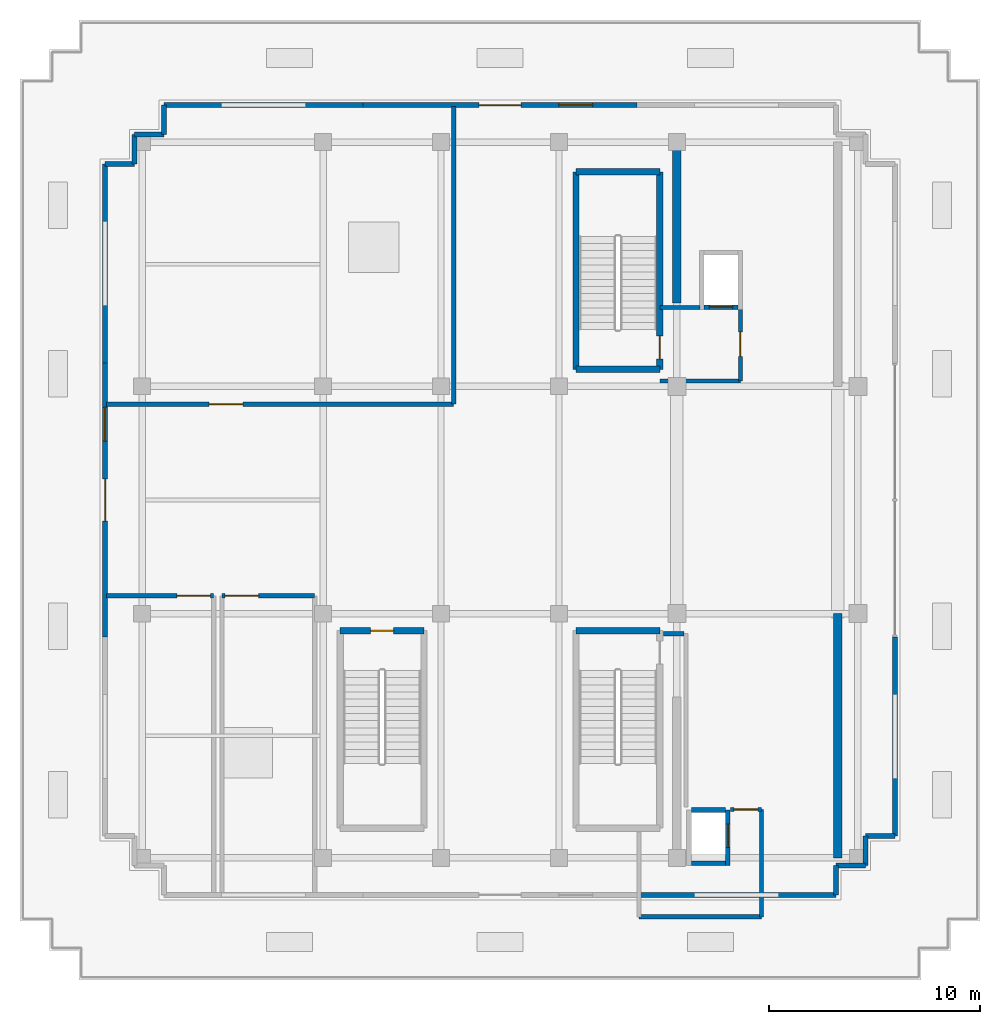
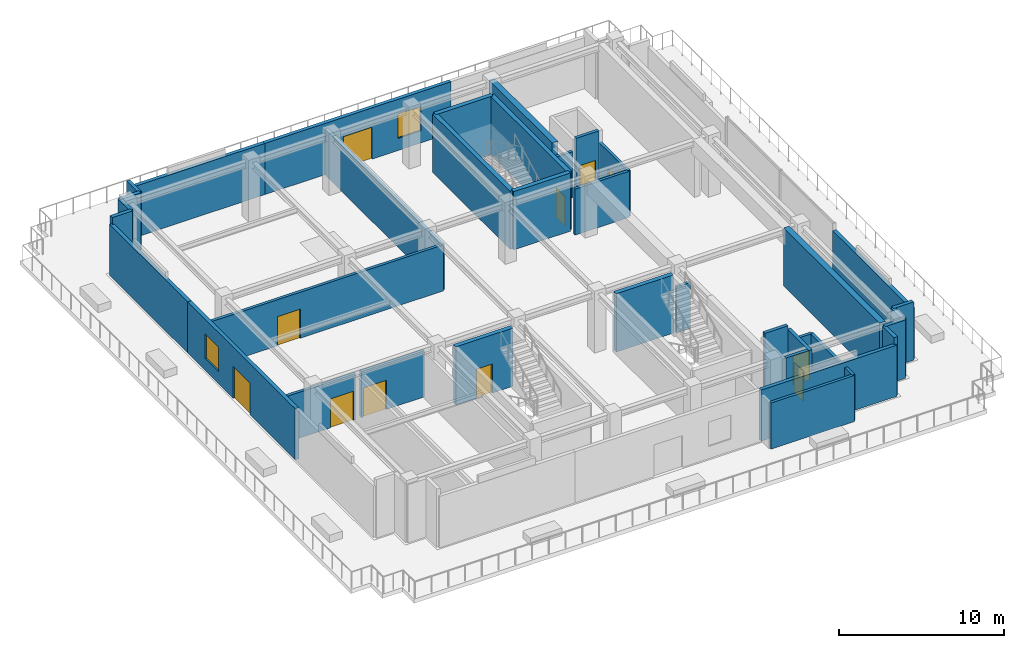
# One storey, part 4 of 13: 37 walls, 11 doors, 2 windows, 13 openings.
"""IFC4 building model written with IfcOpenShell, lengths in metres."""

from ifc_helpers import new_model, si_unit, direction, frame, frame_2d, origin, place, context, subcontext, project, spatial, rectangle, extrude, source, transform, mapped, material, layer, layer_set, type_object, element, fill, save


model = new_model("IFC4")

# Units and contexts
model_context = context("Model", 3, precision=1e-05, world=origin(), true_north=direction((0.0, 1.0)))
body_context = subcontext(model_context, "Body", "Model", "MODEL_VIEW")
ifc_project = project(units=[si_unit("LENGTHUNIT", "METRE"), si_unit("AREAUNIT", "SQUARE_METRE"), si_unit("VOLUMEUNIT", "CUBIC_METRE"), si_unit("PLANEANGLEUNIT", "RADIAN"), si_unit("MASSUNIT", "GRAM", prefix="KILO")], contexts=[model_context])

# Site, building, storey
site_placement = place(None, origin())
site = spatial("IfcSite", under=ifc_project, at=site_placement, CompositionType="ELEMENT")
building_placement = place(site_placement, origin())
building = spatial("IfcBuilding", under=site, at=building_placement, Name="Nahalor Promenade Grand Hotel", CompositionType="ELEMENT")
storey_placement = place(building_placement, frame((0.0, 0.0, 357.050048828125)))
storey = spatial("IfcBuildingStorey", under=building, at=storey_placement, Name="L91", CompositionType="ELEMENT", Elevation=357.050048828125)

# Walls
ifc_material_1 = material(Name="Concrete B-50 (C40/50)", Category="concrete")
ifc_layer_1 = layer(ifc_material_1, 0.39990234375)
ifc_layer_set_1 = layer_set([ifc_layer_1], Name="Concrete B-50 (C40/50)")
wall_type_1 = type_object("IfcWallType", Name="Wall-CoreShear-400", PredefinedType="SHEAR", material=ifc_layer_set_1)
shared_shape_1 = source(origin(), body_context, "Body", "SweptSolid", [
    extrude(rectangle(XDim=7.64990234375, YDim=0.39990234375, at=frame_2d((3.824951171875, 0.0))), origin(), (0.0, 0.0, 1.0), 4.300048828125),
])
wall_1_placement = place(storey_placement, frame((8.39990234375, 9.35009765625, 0.0), z_axis=(0.0, 0.0, 1.0), x_axis=(0.0, 1.0, 0.0)))
element("IfcWall", 1, at=wall_1_placement, inside=storey, type_object=wall_type_1, Name="CWALL-L91-NW", PredefinedType="SHEAR", context=body_context, shape_type="MappedRepresentation", body=[
    mapped(shared_shape_1, transform((0.0, 0.0, 0.0), scale=1.0)),
])
shared_shape_2 = source(origin(), body_context, "Body", "SweptSolid", [
    extrude(rectangle(XDim=11.60009765625, YDim=0.39990234375, at=frame_2d((5.800048828125, 0.0))), origin(), (0.0, 0.0, 1.0), 4.300048828125),
])
wall_2_placement = place(storey_placement, frame((16.050048828125, -17.0, 0.0), z_axis=(0.0, 0.0, 1.0), x_axis=(0.0, 1.0, 0.0)))
element("IfcWall", 2, at=wall_2_placement, inside=storey, type_object=wall_type_1, Name="CWALL-L91-SE", PredefinedType="SHEAR", context=body_context, shape_type="MappedRepresentation", body=[
    mapped(shared_shape_2, transform((0.0, 0.0, 0.0), scale=1.0)),
])
ifc_layer_2 = layer(ifc_material_1, 0.300048828125)
ifc_layer_set_2 = layer_set([ifc_layer_2], Name="Concrete B-50 (C40/50)")
wall_type_2 = type_object("IfcWallType", Name="Wall-ShaftShear-300", PredefinedType="SHEAR", material=ifc_layer_set_2)
shared_shape_3 = source(origin(), body_context, "Body", "SweptSolid", [
    extrude(rectangle(XDim=3.97998046875, YDim=0.300048828125, at=frame_2d((1.989990234375, 0.0))), origin(), (0.0, 0.0, 1.0), 4.300048828125),
])
for number, where, z_axis, x_axis, name in (
    (3, (3.610107421875, 6.2099609375, 0.0), (0.0, 0.0, 1.0), (1.0, 0.0, 0.0), "L91 Exit Stair ST1 Shaft Wall S"),
    (4, (3.610107421875, 15.590087890625, 0.0), (0.0, 0.0, 1.0), (1.0, 0.0, 0.0), "L91 Exit Stair ST1 Shaft Wall N"),
    (5, (3.610107421875, -6.2099609375, 0.0), (0.0, 0.0, 1.0), (1.0, 0.0, 0.0), "L91 Exit Stair ST2 Shaft Wall N"),
):
    element("IfcWall", number, at=place(storey_placement, frame(where, z_axis=z_axis, x_axis=x_axis)), inside=storey, type_object=wall_type_2, Name=name, PredefinedType="SHEAR", context=body_context, shape_type="MappedRepresentation", body=[
        mapped(shared_shape_3, transform((0.0, 0.0, 0.0), scale=1.0)),
    ])

# Wall, opening, door
wall_3_placement = place(storey_placement, frame((-7.590087890625, -6.2099609375, 0.0), z_axis=(0.0, 0.0, 1.0), x_axis=(1.0, 0.0, 0.0)))
wall_3 = element("IfcWall", 6, at=wall_3_placement, inside=storey, type_object=wall_type_2, Name="L91 Exit Stair ST3 Shaft Wall N", PredefinedType="SHEAR", context=body_context, shape_type="MappedRepresentation", body=[
    mapped(shared_shape_3, transform((0.0, 0.0, 0.0), scale=1.0)),
])
opening_1_placement = place(wall_3_placement, frame((1.43994140625, 0.0, 0.0)))
opening_1 = element("IfcOpeningElement", 7, at=opening_1_placement, cuts=wall_3, Name="Opening D-ST1", PredefinedType="OPENING", context=body_context, shape_type="SweptSolid", body=[
    extrude(rectangle(XDim=1.10009765625, YDim=2.14990234375, at=frame_2d((0.550048828125, 1.074951171875))), frame((0.0, 0.159912109375, 0.0), z_axis=(0.0, -1.0, 0.0), x_axis=(1.0, 0.0, 0.0)), (0.0, 0.0, 1.0), 0.320068359375),
])
ifc_material_2 = material(Name="Steel S355JR", Category="steel")
door_type_1 = type_object("IfcDoorType", Name="Door-StairFire-1100", OperationType="NOTDEFINED", PredefinedType="DOOR", material=ifc_material_2)
shared_shape_4 = source(origin(), body_context, "Body", "SweptSolid", [
    extrude(rectangle(XDim=1.10009765625, YDim=2.14990234375, at=frame_2d((0.550048828125, 1.074951171875))), frame((0.0, 0.02490234375, 0.0), z_axis=(0.0, -1.0, 0.0), x_axis=(1.0, 0.0, 0.0)), (0.0, 0.0, 1.0), 0.050048828125),
])
door_1_placement = place(opening_1_placement, frame((1.10009765625, 0.0, 0.0), z_axis=(0.0, 0.0, 1.0), x_axis=(-1.0, 0.0, 0.0)))
door_1 = element("IfcDoor", 8, at=door_1_placement, inside=storey, type_object=door_type_1, Name="DR-STAIR-ST3-L91", OperationType="SINGLE_SWING_RIGHT", OverallHeight=2.14990234375, OverallWidth=1.10009765625, PredefinedType="DOOR", context=body_context, shape_type="MappedRepresentation", body=[
    mapped(shared_shape_4, transform((0.0, 0.0, 0.0), scale=1.0)),
])
fill(opening_1, door_1)

# Wall
shared_shape_5 = source(origin(), body_context, "Body", "SweptSolid", [
    extrude(rectangle(XDim=9.380126953125, YDim=0.300048828125, at=frame_2d((4.68994140625, 0.0))), origin(), (0.0, 0.0, 1.0), 4.300048828125),
])
wall_4_placement = place(storey_placement, frame((3.610107421875, 6.2099609375, 0.0), z_axis=(0.0, 0.0, 1.0), x_axis=(0.0, 1.0, 0.0)))
element("IfcWall", 9, at=wall_4_placement, inside=storey, type_object=wall_type_2, Name="L91 Exit Stair ST1 Shaft Wall W", PredefinedType="SHEAR", context=body_context, shape_type="MappedRepresentation", body=[
    mapped(shared_shape_5, transform((0.0, 0.0, 0.0), scale=1.0)),
])

# Wall, opening, door
wall_5_placement = place(storey_placement, frame((7.590087890625, 6.2099609375, 0.0), z_axis=(0.0, 0.0, 1.0), x_axis=(0.0, 1.0, 0.0)))
wall_5 = element("IfcWall", 10, at=wall_5_placement, inside=storey, type_object=wall_type_2, Name="L91 Exit Stair ST1 Shaft Wall E", PredefinedType="SHEAR", context=body_context, shape_type="MappedRepresentation", body=[
    mapped(shared_shape_5, transform((0.0, 0.0, 0.0), scale=1.0)),
])
opening_2_placement = place(wall_5_placement, frame((0.489990234375, 0.0, 0.0)))
opening_2 = element("IfcOpeningElement", 11, at=opening_2_placement, cuts=wall_5, Name="Opening D-ST1", PredefinedType="OPENING", context=body_context, shape_type="SweptSolid", body=[
    extrude(rectangle(XDim=1.10009765625, YDim=2.14990234375, at=frame_2d((0.550048828125, 1.074951171875))), frame((0.0, 0.159912109375, 0.0), z_axis=(0.0, -1.0, 0.0), x_axis=(1.0, 0.0, 0.0)), (0.0, 0.0, 1.0), 0.320068359375),
])
door_2_placement = place(opening_2_placement, origin())
door_2 = element("IfcDoor", 12, at=door_2_placement, inside=storey, type_object=door_type_1, Name="DR-STAIR-ST1-L91", OperationType="SINGLE_SWING_RIGHT", OverallHeight=2.14990234375, OverallWidth=1.10009765625, PredefinedType="DOOR", context=body_context, shape_type="MappedRepresentation", body=[
    mapped(shared_shape_4, transform((0.0, 0.0, 0.0), scale=1.0)),
])
fill(opening_2, door_2)

ifc_layer_3 = layer(ifc_material_1, 0.219970703125)
ifc_layer_set_3 = layer_set([ifc_layer_3], Name="Concrete B-50 (C40/50)")
wall_type_3 = type_object("IfcWallType", Name="Wall-LiftShaft-220", PredefinedType="SHEAR", material=ifc_layer_set_3)
shared_shape_6 = source(origin(), body_context, "Body", "SweptSolid", [
    extrude(rectangle(XDim=1.6201171875, YDim=0.219970703125, at=frame_2d((0.81005859375, 0.0))), origin(), (0.0, 0.0, 1.0), 4.300048828125),
])
wall_6_placement = place(storey_placement, frame((9.68994140625, 9.14990234375, 0.0), z_axis=(0.0, 0.0, 1.0), x_axis=(1.0, 0.0, 0.0)))
wall_6 = element("IfcWall", 13, at=wall_6_placement, inside=storey, type_object=wall_type_3, Name="L91 Lift FL1 Hoistway Wall S", PredefinedType="SHEAR", context=body_context, shape_type="MappedRepresentation", body=[
    mapped(shared_shape_6, transform((0.0, 0.0, 0.0), scale=1.0)),
])
opening_3_placement = place(wall_6_placement, frame((0.260009765625, 0.0, 0.0)))
opening_3 = element("IfcOpeningElement", 14, at=opening_3_placement, cuts=wall_6, Name="Opening LD-02", PredefinedType="OPENING", context=body_context, shape_type="SweptSolid", body=[
    extrude(rectangle(XDim=1.10009765625, YDim=2.199951171875, at=frame_2d((0.550048828125, 1.10009765625))), frame((0.0, 0.119873046875, 0.0), z_axis=(0.0, -1.0, 0.0), x_axis=(1.0, 0.0, 0.0)), (0.0, 0.0, 1.0), 0.239990234375),
])
door_type_2 = type_object("IfcDoorType", Name="Door-LiftFF-1100", OperationType="DOUBLE_DOOR_SLIDING", PredefinedType="DOOR", material=ifc_material_2)
shared_shape_7 = source(origin(), body_context, "Body", "SweptSolid", [
    extrude(rectangle(XDim=1.10009765625, YDim=2.199951171875, at=frame_2d((0.550048828125, 1.10009765625))), frame((0.0, 0.02490234375, 0.0), z_axis=(0.0, -1.0, 0.0), x_axis=(1.0, 0.0, 0.0)), (0.0, 0.0, 1.0), 0.050048828125),
])
door_3_placement = place(opening_3_placement, frame((1.10009765625, 0.0, 0.0), z_axis=(0.0, 0.0, 1.0), x_axis=(-1.0, 0.0, 0.0)))
door_3 = element("IfcDoor", 15, at=door_3_placement, inside=storey, type_object=door_type_2, Name="DR-LIFT-FL1-L91", OperationType="DOUBLE_DOOR_SLIDING", OverallHeight=2.199951171875, OverallWidth=1.10009765625, PredefinedType="DOOR", context=body_context, shape_type="MappedRepresentation", body=[
    mapped(shared_shape_7, transform((0.0, 0.0, 0.0), scale=1.0)),
])
fill(opening_3, door_3)

shared_shape_8 = source(origin(), body_context, "Body", "SweptSolid", [
    extrude(rectangle(XDim=2.635009765625, YDim=0.219970703125, at=frame_2d((1.3173828125, 0.0))), origin(), (0.0, 0.0, 1.0), 4.300048828125),
])
wall_7_placement = place(storey_placement, frame((10.820068359375, -17.360107421875, 0.0), z_axis=(0.0, 0.0, 1.0), x_axis=(0.0, 1.0, 0.0)))
wall_7 = element("IfcWall", 16, at=wall_7_placement, inside=storey, type_object=wall_type_3, Name="L91 Lift FL2 Hoistway Wall E", PredefinedType="SHEAR", context=body_context, shape_type="MappedRepresentation", body=[
    mapped(shared_shape_8, transform((0.0, 0.0, 0.0), scale=1.0)),
])
opening_4_placement = place(wall_7_placement, frame((0.860107421875, 0.0, 0.0)))
opening_4 = element("IfcOpeningElement", 17, at=opening_4_placement, cuts=wall_7, Name="Opening LD-02", PredefinedType="OPENING", context=body_context, shape_type="SweptSolid", body=[
    extrude(rectangle(XDim=1.10009765625, YDim=2.199951171875, at=frame_2d((0.550048828125, 1.10009765625))), frame((0.0, 0.119873046875, 0.0), z_axis=(0.0, -1.0, 0.0), x_axis=(1.0, 0.0, 0.0)), (0.0, 0.0, 1.0), 0.239990234375),
])
door_4_placement = place(opening_4_placement, frame((1.10009765625, 0.0, 0.0), z_axis=(0.0, 0.0, 1.0), x_axis=(-1.0, 0.0, 0.0)))
door_4 = element("IfcDoor", 18, at=door_4_placement, inside=storey, type_object=door_type_2, Name="DR-LIFT-FL2-L91", OperationType="DOUBLE_DOOR_SLIDING", OverallHeight=2.199951171875, OverallWidth=1.10009765625, PredefinedType="DOOR", context=body_context, shape_type="MappedRepresentation", body=[
    mapped(shared_shape_7, transform((0.0, 0.0, 0.0), scale=1.0)),
])
fill(opening_4, door_4)

# Walls
shared_shape_9 = source(origin(), body_context, "Body", "SweptSolid", [
    extrude(rectangle(XDim=1.619873046875, YDim=0.219970703125, at=frame_2d((0.81005859375, 0.0))), origin(), (0.0, 0.0, 1.0), 4.300048828125),
])
wall_8_placement = place(storey_placement, frame((9.090087890625, -17.25, 0.0), z_axis=(0.0, 0.0, 1.0), x_axis=(1.0, 0.0, 0.0)))
element("IfcWall", 19, at=wall_8_placement, inside=storey, type_object=wall_type_3, Name="L91 Lift FL2 Hoistway Wall S", PredefinedType="SHEAR", context=body_context, shape_type="MappedRepresentation", body=[
    mapped(shared_shape_9, transform((0.0, 0.0, 0.0), scale=1.0)),
])
shared_shape_10 = source(origin(), body_context, "Body", "SweptSolid", [
    extrude(rectangle(XDim=1.619873046875, YDim=0.219970703125, at=frame_2d((0.81005859375, 0.0))), origin(), (0.0, 0.0, 1.0), 4.599853515625),
])
wall_9_placement = place(storey_placement, frame((9.090087890625, -14.72509765625, 0.0), z_axis=(0.0, 0.0, 1.0), x_axis=(1.0, 0.0, 0.0)))
element("IfcWall", 20, at=wall_9_placement, inside=storey, type_object=wall_type_3, Name="L91 Lift FL2 Hoistway Wall N", PredefinedType="SHEAR", context=body_context, shape_type="MappedRepresentation", body=[
    mapped(shared_shape_10, transform((0.0, 0.0, 0.0), scale=1.0)),
])
ifc_material_3 = material(Name="Concrete B-40 (C32/40)", Category="concrete")
ifc_layer_4 = layer(ifc_material_3, 0.25)
ifc_layer_set_4 = layer_set([ifc_layer_4], Name="Concrete B-40 (C32/40)")
wall_type_4 = type_object("IfcWallType", Name="Wall-BronzePier-250", PredefinedType="STANDARD", material=ifc_layer_set_4)
shared_shape_11 = source(origin(), body_context, "Body", "SweptSolid", [
    extrude(rectangle(XDim=1.39990234375, YDim=0.25, at=frame_2d((0.699951171875, 0.0))), origin(), (0.0, 0.0, 1.0), 4.300048828125),
])
for number, where, z_axis, x_axis, name in (
    (21, (15.9599609375, -18.760009765625, 0.0), (0.0, 0.0, 1.0), (0.0, 1.0, 0.0), "W-L91-SR-01"),
    (22, (17.360107421875, -15.9599609375, 0.0), (0.0, 0.0, 1.0), (1.0, 0.0, 0.0), "W-L91-SR-04"),
    (23, (-15.9599609375, 17.360107421875, 0.0), (0.0, 0.0, 1.0), (0.0, 1.0, 0.0), "W-L91-SR-09"),
    (24, (-18.760009765625, 15.9599609375, 0.0), (0.0, 0.0, 1.0), (1.0, 0.0, 0.0), "W-L91-SR-12"),
):
    element("IfcWall", number, at=place(storey_placement, frame(where, z_axis=z_axis, x_axis=x_axis)), inside=storey, type_object=wall_type_4, Name=name, PredefinedType="STANDARD", context=body_context, shape_type="MappedRepresentation", body=[
        mapped(shared_shape_11, transform((0.0, 0.0, 0.0), scale=1.0)),
    ])
shared_shape_12 = source(origin(), body_context, "Body", "SweptSolid", [
    extrude(rectangle(XDim=1.400146484375, YDim=0.25, at=frame_2d((0.7001953125, 0.0))), origin(), (0.0, 0.0, 1.0), 4.300048828125),
])
for number, where, z_axis, x_axis, name in (
    (25, (15.9599609375, -17.360107421875, 0.0), (0.0, 0.0, 1.0), (1.0, 0.0, 0.0), "W-L91-SR-02"),
    (26, (17.360107421875, -17.360107421875, 0.0), (0.0, 0.0, 1.0), (0.0, 1.0, 0.0), "W-L91-SR-03"),
    (27, (-17.360107421875, 17.360107421875, 0.0), (0.0, 0.0, 1.0), (1.0, 0.0, 0.0), "W-L91-SR-10"),
    (28, (-17.360107421875, 15.9599609375, 0.0), (0.0, 0.0, 1.0), (0.0, 1.0, 0.0), "W-L91-SR-11"),
):
    element("IfcWall", number, at=place(storey_placement, frame(where, z_axis=z_axis, x_axis=x_axis)), inside=storey, type_object=wall_type_4, Name=name, PredefinedType="STANDARD", context=body_context, shape_type="MappedRepresentation", body=[
        mapped(shared_shape_12, transform((0.0, 0.0, 0.0), scale=1.0)),
    ])
shared_shape_13 = source(origin(), body_context, "Body", "SweptSolid", [
    extrude(rectangle(XDim=9.4599609375, YDim=0.25, at=frame_2d((4.72998046875, 0.0))), origin(), (0.0, 0.0, 1.0), 3.780029296875),
])
for number, where, z_axis, x_axis, name in (
    (29, (6.5, -18.760009765625, 0.0), (0.0, 0.0, 1.0), (1.0, 0.0, 0.0), "W-L91-PL-SR"),
    (30, (-15.9599609375, 18.760009765625, 0.0), (0.0, 0.0, 1.0), (1.0, 0.0, 0.0), "W-L91-PL-NL"),
    (31, (-18.760009765625, 6.5, 0.0), (0.0, 0.0, 1.0), (0.0, 1.0, 0.0), "W-L91-PL-WR"),
    (32, (18.760009765625, -15.9599609375, 0.0), (0.0, 0.0, 1.0), (0.0, 1.0, 0.0), "W-L91-PL-EL"),
):
    element("IfcWall", number, at=place(storey_placement, frame(where, z_axis=z_axis, x_axis=x_axis)), inside=storey, type_object=wall_type_4, Name=name, PredefinedType="STANDARD", context=body_context, shape_type="MappedRepresentation", body=[
        mapped(shared_shape_13, transform((0.0, 0.0, 0.0), scale=1.0)),
    ])

# Wall, openings, door, window
shared_shape_14 = source(origin(), body_context, "Body", "SweptSolid", [
    extrude(rectangle(XDim=13.0, YDim=0.25, at=frame_2d((6.5, 0.0))), origin(), (0.0, 0.0, 1.0), 3.780029296875),
])
wall_10_placement = place(storey_placement, frame((-6.5, 18.760009765625, 0.0), z_axis=(0.0, 0.0, 1.0), x_axis=(1.0, 0.0, 0.0)))
wall_10 = element("IfcWall", 33, at=wall_10_placement, inside=storey, type_object=wall_type_4, Name="W-L91-SG-N", PredefinedType="STANDARD", context=body_context, shape_type="MappedRepresentation", body=[
    mapped(shared_shape_14, transform((0.0, 0.0, 0.0), scale=1.0)),
])
opening_5_placement = place(wall_10_placement, frame((5.5, 0.0, 0.0)))
opening_5 = element("IfcOpeningElement", 34, at=opening_5_placement, cuts=wall_10, Name="Opening D-TR1", PredefinedType="OPENING", context=body_context, shape_type="SweptSolid", body=[
    extrude(rectangle(XDim=2.0, YDim=2.35009765625, at=frame_2d((1.0, 1.175048828125))), frame((0.0, 0.135009765625, 0.0), z_axis=(0.0, -1.0, 0.0), x_axis=(1.0, 0.0, 0.0)), (0.0, 0.0, 1.0), 0.27001953125),
])
opening_6_placement = place(wall_10_placement, frame((9.300048828125, 0.0, 0.89990234375)))
opening_6 = element("IfcOpeningElement", 35, at=opening_6_placement, cuts=wall_10, Name="Opening WN-03", PredefinedType="OPENING", context=body_context, shape_type="SweptSolid", body=[
    extrude(rectangle(XDim=1.60009765625, YDim=1.800048828125, at=frame_2d((0.800048828125, 0.89990234375))), frame((0.0, 0.135009765625, 0.0), z_axis=(0.0, -1.0, 0.0), x_axis=(1.0, 0.0, 0.0)), (0.0, 0.0, 1.0), 0.27001953125),
])
ifc_material_4 = material(Name="Anodised Bronze Aluminium EN AW-6063 T6", Category="aluminium")
door_type_3 = type_object("IfcDoorType", Name="Door-TerraceDouble-2000", OperationType="DOUBLE_DOOR_SINGLE_SWING", PredefinedType="DOOR", material=ifc_material_4)
shared_shape_15 = source(origin(), body_context, "Body", "SweptSolid", [
    extrude(rectangle(XDim=2.0, YDim=2.35009765625, at=frame_2d((1.0, 1.175048828125))), frame((0.0, 0.02490234375, 0.0), z_axis=(0.0, -1.0, 0.0), x_axis=(1.0, 0.0, 0.0)), (0.0, 0.0, 1.0), 0.050048828125),
])
door_5_placement = place(opening_5_placement, origin())
door_5 = element("IfcDoor", 36, at=door_5_placement, inside=storey, type_object=door_type_3, Name="DR-L91-SG-N", OperationType="DOUBLE_DOOR_SINGLE_SWING", OverallHeight=2.35009765625, OverallWidth=2.0, PredefinedType="DOOR", context=body_context, shape_type="MappedRepresentation", body=[
    mapped(shared_shape_15, transform((0.0, 0.0, 0.0), scale=1.0)),
])
fill(opening_5, door_5)
ifc_material_5 = material(Name="Low-E Laminated Solar Glass", Category="glass")
window_type = type_object("IfcWindowType", Name="Win-CrownVented-1600x1800", PartitioningType="SINGLE_PANEL", PredefinedType="WINDOW", material=ifc_material_5)
shared_shape_16 = source(origin(), body_context, "Body", "SweptSolid", [
    extrude(rectangle(XDim=1.60009765625, YDim=1.800048828125, at=frame_2d((0.800048828125, 0.89990234375))), frame((0.0, 0.030029296875, 0.0), z_axis=(0.0, -1.0, 0.0), x_axis=(1.0, 0.0, 0.0)), (0.0, 0.0, 1.0), 0.06005859375),
])
window_1_placement = place(opening_6_placement, origin())
window_1 = element("IfcWindow", 37, at=window_1_placement, inside=storey, type_object=window_type, Name="WN-L91-SG-N", OverallHeight=1.800048828125, OverallWidth=1.60009765625, PartitioningType="SINGLE_PANEL", PredefinedType="WINDOW", context=body_context, shape_type="MappedRepresentation", body=[
    mapped(shared_shape_16, transform((0.0, 0.0, 0.0), scale=1.0)),
])
fill(opening_6, window_1)

wall_11_placement = place(storey_placement, frame((-18.760009765625, -6.5, 0.0), z_axis=(0.0, 0.0, 1.0), x_axis=(0.0, 1.0, 0.0)))
wall_11 = element("IfcWall", 38, at=wall_11_placement, inside=storey, type_object=wall_type_4, Name="W-L91-SG-W", PredefinedType="STANDARD", context=body_context, shape_type="MappedRepresentation", body=[
    mapped(shared_shape_14, transform((0.0, 0.0, 0.0), scale=1.0)),
])
opening_7_placement = place(wall_11_placement, frame((5.5, 0.0, 0.0)))
opening_7 = element("IfcOpeningElement", 39, at=opening_7_placement, cuts=wall_11, Name="Opening D-TR1", PredefinedType="OPENING", context=body_context, shape_type="SweptSolid", body=[
    extrude(rectangle(XDim=2.0, YDim=2.35009765625, at=frame_2d((1.0, 1.175048828125))), frame((0.0, 0.135009765625, 0.0), z_axis=(0.0, -1.0, 0.0), x_axis=(1.0, 0.0, 0.0)), (0.0, 0.0, 1.0), 0.27001953125),
])
opening_8_placement = place(wall_11_placement, frame((9.300048828125, 0.0, 0.89990234375)))
opening_8 = element("IfcOpeningElement", 40, at=opening_8_placement, cuts=wall_11, Name="Opening WN-03", PredefinedType="OPENING", context=body_context, shape_type="SweptSolid", body=[
    extrude(rectangle(XDim=1.60009765625, YDim=1.800048828125, at=frame_2d((0.800048828125, 0.89990234375))), frame((0.0, 0.135009765625, 0.0), z_axis=(0.0, -1.0, 0.0), x_axis=(1.0, 0.0, 0.0)), (0.0, 0.0, 1.0), 0.27001953125),
])
door_6_placement = place(opening_7_placement, origin())
door_6 = element("IfcDoor", 41, at=door_6_placement, inside=storey, type_object=door_type_3, Name="DR-L91-SG-W", OperationType="DOUBLE_DOOR_SINGLE_SWING", OverallHeight=2.35009765625, OverallWidth=2.0, PredefinedType="DOOR", context=body_context, shape_type="MappedRepresentation", body=[
    mapped(shared_shape_15, transform((0.0, 0.0, 0.0), scale=1.0)),
])
fill(opening_7, door_6)
window_2_placement = place(opening_8_placement, origin())
window_2 = element("IfcWindow", 42, at=window_2_placement, inside=storey, type_object=window_type, Name="WN-L91-SG-W", OverallHeight=1.800048828125, OverallWidth=1.60009765625, PartitioningType="SINGLE_PANEL", PredefinedType="WINDOW", context=body_context, shape_type="MappedRepresentation", body=[
    mapped(shared_shape_16, transform((0.0, 0.0, 0.0), scale=1.0)),
])
fill(opening_8, window_2)

# Walls
ifc_layer_5 = layer(ifc_material_3, 0.199951171875)
ifc_layer_set_5 = layer_set([ifc_layer_5], Name="Concrete B-40 (C32/40)")
wall_type_5 = type_object("IfcWallType", Name="Wall-PartFire-200", PredefinedType="PARTITIONING", material=ifc_layer_set_5)
shared_shape_17 = source(origin(), body_context, "Body", "SweptSolid", [
    extrude(rectangle(XDim=3.81982421875, YDim=0.199951171875, at=frame_2d((1.909912109375, 0.0))), origin(), (0.0, 0.0, 1.0), 3.39990234375),
])
wall_12_placement = place(storey_placement, frame((7.60009765625, 5.64990234375, 0.0), z_axis=(0.0, 0.0, 1.0), x_axis=(1.0, 0.0, 0.0)))
element("IfcWall", 43, at=wall_12_placement, inside=storey, type_object=wall_type_5, Name="W-L91-FF1-S", PredefinedType="PARTITIONING", context=body_context, shape_type="MappedRepresentation", body=[
    mapped(shared_shape_17, transform((0.0, 0.0, 0.0), scale=1.0)),
])
shared_shape_18 = source(origin(), body_context, "Body", "SweptSolid", [
    extrude(rectangle(XDim=1.89990234375, YDim=0.199951171875, at=frame_2d((0.949951171875, 0.0))), origin(), (0.0, 0.0, 1.0), 3.39990234375),
])
wall_13_placement = place(storey_placement, frame((7.60009765625, 9.14990234375, 0.0), z_axis=(0.0, 0.0, 1.0), x_axis=(1.0, 0.0, 0.0)))
element("IfcWall", 44, at=wall_13_placement, inside=storey, type_object=wall_type_5, Name="W-L91-FF1-N", PredefinedType="PARTITIONING", context=body_context, shape_type="MappedRepresentation", body=[
    mapped(shared_shape_18, transform((0.0, 0.0, 0.0), scale=1.0)),
])

# Wall, opening, door
shared_shape_19 = source(origin(), body_context, "Body", "SweptSolid", [
    extrude(rectangle(XDim=3.5, YDim=0.199951171875, at=frame_2d((1.75, 0.0))), origin(), (0.0, 0.0, 1.0), 3.39990234375),
])
wall_14_placement = place(storey_placement, frame((11.419921875, 5.64990234375, 0.0), z_axis=(0.0, 0.0, 1.0), x_axis=(0.0, 1.0, 0.0)))
wall_14 = element("IfcWall", 45, at=wall_14_placement, inside=storey, type_object=wall_type_5, Name="W-L91-FF1-E", PredefinedType="PARTITIONING", context=body_context, shape_type="MappedRepresentation", body=[
    mapped(shared_shape_19, transform((0.0, 0.0, 0.0), scale=1.0)),
])
opening_9_placement = place(wall_14_placement, frame((1.175048828125, 0.0, 0.0)))
opening_9 = element("IfcOpeningElement", 46, at=opening_9_placement, cuts=wall_14, Name="Opening D-FF1", PredefinedType="OPENING", context=body_context, shape_type="SweptSolid", body=[
    extrude(rectangle(XDim=1.14990234375, YDim=2.14990234375, at=frame_2d((0.574951171875, 1.074951171875))), frame((0.0, 0.10986328125, 0.0), z_axis=(0.0, -1.0, 0.0), x_axis=(1.0, 0.0, 0.0)), (0.0, 0.0, 1.0), 0.219970703125),
])
door_type_4 = type_object("IfcDoorType", Name="Door-FFLobby-1150", OperationType="NOTDEFINED", PredefinedType="DOOR", material=ifc_material_2)
shared_shape_20 = source(origin(), body_context, "Body", "SweptSolid", [
    extrude(rectangle(XDim=1.14990234375, YDim=2.14990234375, at=frame_2d((0.574951171875, 1.074951171875))), frame((0.0, 0.02490234375, 0.0), z_axis=(0.0, -1.0, 0.0), x_axis=(1.0, 0.0, 0.0)), (0.0, 0.0, 1.0), 0.050048828125),
])
door_7_placement = place(opening_9_placement, frame((1.14990234375, 0.0, 0.0), z_axis=(0.0, 0.0, 1.0), x_axis=(-1.0, 0.0, 0.0)))
door_7 = element("IfcDoor", 47, at=door_7_placement, inside=storey, type_object=door_type_4, Name="DR-L91-FFL1", OperationType="SINGLE_SWING_LEFT", OverallHeight=2.14990234375, OverallWidth=1.14990234375, PredefinedType="DOOR", context=body_context, shape_type="MappedRepresentation", body=[
    mapped(shared_shape_20, transform((0.0, 0.0, 0.0), scale=1.0)),
])
fill(opening_9, door_7)

# Walls
shared_shape_21 = source(origin(), body_context, "Body", "SweptSolid", [
    extrude(rectangle(XDim=5.81982421875, YDim=0.199951171875, at=frame_2d((2.909912109375, 0.0))), origin(), (0.0, 0.0, 1.0), 3.39990234375),
])
wall_15_placement = place(storey_placement, frame((6.60009765625, -19.800048828125, 0.0), z_axis=(0.0, 0.0, 1.0), x_axis=(1.0, 0.0, 0.0)))
element("IfcWall", 48, at=wall_15_placement, inside=storey, type_object=wall_type_5, Name="W-L91-FF2-S1", PredefinedType="PARTITIONING", context=body_context, shape_type="MappedRepresentation", body=[
    mapped(shared_shape_21, transform((0.0, 0.0, 0.0), scale=1.0)),
])
shared_shape_22 = source(origin(), body_context, "Body", "SweptSolid", [
    extrude(rectangle(XDim=5.10009765625, YDim=0.199951171875, at=frame_2d((2.550048828125, 0.0))), origin(), (0.0, 0.0, 1.0), 3.39990234375),
])
wall_16_placement = place(storey_placement, frame((12.419921875, -19.800048828125, 0.0), z_axis=(0.0, 0.0, 1.0), x_axis=(0.0, 1.0, 0.0)))
element("IfcWall", 49, at=wall_16_placement, inside=storey, type_object=wall_type_5, Name="W-L91-FF2-E", PredefinedType="PARTITIONING", context=body_context, shape_type="MappedRepresentation", body=[
    mapped(shared_shape_22, transform((0.0, 0.0, 0.0), scale=1.0)),
])

# Wall, opening, door
shared_shape_23 = source(origin(), body_context, "Body", "SweptSolid", [
    extrude(rectangle(XDim=1.4599609375, YDim=0.199951171875, at=frame_2d((0.72998046875, 0.0))), origin(), (0.0, 0.0, 1.0), 3.39990234375),
])
wall_17_placement = place(storey_placement, frame((10.9599609375, -14.699951171875, 0.0), z_axis=(0.0, 0.0, 1.0), x_axis=(1.0, 0.0, 0.0)))
wall_17 = element("IfcWall", 50, at=wall_17_placement, inside=storey, type_object=wall_type_5, Name="W-L91-FF2-N1", PredefinedType="PARTITIONING", context=body_context, shape_type="MappedRepresentation", body=[
    mapped(shared_shape_23, transform((0.0, 0.0, 0.0), scale=1.0)),
])
opening_10_placement = place(wall_17_placement, frame((0.14501953125, 0.0, 0.0)))
opening_10 = element("IfcOpeningElement", 51, at=opening_10_placement, cuts=wall_17, Name="Opening D-FF1", PredefinedType="OPENING", context=body_context, shape_type="SweptSolid", body=[
    extrude(rectangle(XDim=1.14990234375, YDim=2.14990234375, at=frame_2d((0.574951171875, 1.074951171875))), frame((0.0, 0.10986328125, 0.0), z_axis=(0.0, -1.0, 0.0), x_axis=(1.0, 0.0, 0.0)), (0.0, 0.0, 1.0), 0.219970703125),
])
door_8_placement = place(opening_10_placement, origin())
door_8 = element("IfcDoor", 52, at=door_8_placement, inside=storey, type_object=door_type_4, Name="DR-L91-FFL2", OperationType="SINGLE_SWING_RIGHT", OverallHeight=2.14990234375, OverallWidth=1.14990234375, PredefinedType="DOOR", context=body_context, shape_type="MappedRepresentation", body=[
    mapped(shared_shape_20, transform((0.0, 0.0, 0.0), scale=1.0)),
])
fill(opening_10, door_8)

# Wall
shared_shape_24 = source(origin(), body_context, "Body", "SweptSolid", [
    extrude(rectangle(XDim=0.969970703125, YDim=0.199951171875, at=frame_2d((0.48486328125, 0.0))), origin(), (0.0, 0.0, 1.0), 3.39990234375),
])
wall_18_placement = place(storey_placement, frame((7.77001953125, -6.35009765625, 0.0), z_axis=(0.0, 0.0, 1.0), x_axis=(1.0, 0.0, 0.0)))
element("IfcWall", 53, at=wall_18_placement, inside=storey, type_object=wall_type_5, Name="W-L91-FF2-N2", PredefinedType="PARTITIONING", context=body_context, shape_type="MappedRepresentation", body=[
    mapped(shared_shape_24, transform((0.0, 0.0, 0.0), scale=1.0)),
])

# Wall, opening, door
shared_shape_25 = source(origin(), body_context, "Body", "SweptSolid", [
    extrude(rectangle(XDim=16.5, YDim=0.199951171875, at=frame_2d((8.25, 0.0))), origin(), (0.0, 0.0, 1.0), 3.39990234375),
])
wall_19_placement = place(storey_placement, frame((-18.699951171875, 4.550048828125, 0.0), z_axis=(0.0, 0.0, 1.0), x_axis=(1.0, 0.0, 0.0)))
wall_19 = element("IfcWall", 54, at=wall_19_placement, inside=storey, type_object=wall_type_5, Name="W-L91-MP1-S", PredefinedType="PARTITIONING", context=body_context, shape_type="MappedRepresentation", body=[
    mapped(shared_shape_25, transform((0.0, 0.0, 0.0), scale=1.0)),
])
opening_11_placement = place(wall_19_placement, frame((4.886962890625, 0.0, 0.0)))
opening_11 = element("IfcOpeningElement", 55, at=opening_11_placement, cuts=wall_19, Name="Opening D-06", PredefinedType="OPENING", context=body_context, shape_type="SweptSolid", body=[
    extrude(rectangle(XDim=1.60009765625, YDim=2.14990234375, at=frame_2d((0.800048828125, 1.074951171875))), frame((0.0, 0.10986328125, 0.0), z_axis=(0.0, -1.0, 0.0), x_axis=(1.0, 0.0, 0.0)), (0.0, 0.0, 1.0), 0.219970703125),
])
door_type_5 = type_object("IfcDoorType", Name="Door-PlantDouble-1600", OperationType="DOUBLE_DOOR_SINGLE_SWING", PredefinedType="DOOR", material=ifc_material_2)
shared_shape_26 = source(origin(), body_context, "Body", "SweptSolid", [
    extrude(rectangle(XDim=1.60009765625, YDim=2.14990234375, at=frame_2d((0.800048828125, 1.074951171875))), frame((0.0, 0.02490234375, 0.0), z_axis=(0.0, -1.0, 0.0), x_axis=(1.0, 0.0, 0.0)), (0.0, 0.0, 1.0), 0.050048828125),
])
door_9_placement = place(opening_11_placement, origin())
door_9 = element("IfcDoor", 56, at=door_9_placement, inside=storey, type_object=door_type_5, Name="DR-L91-MP1", OperationType="DOUBLE_DOOR_SINGLE_SWING", OverallHeight=2.14990234375, OverallWidth=1.60009765625, PredefinedType="DOOR", context=body_context, shape_type="MappedRepresentation", body=[
    mapped(shared_shape_26, transform((0.0, 0.0, 0.0), scale=1.0)),
])
fill(opening_11, door_9)

# Wall
shared_shape_27 = source(origin(), body_context, "Body", "SweptSolid", [
    extrude(rectangle(XDim=14.14990234375, YDim=0.199951171875, at=frame_2d((7.074951171875, 0.0))), origin(), (0.0, 0.0, 1.0), 3.39990234375),
])
wall_20_placement = place(storey_placement, frame((-2.199951171875, 4.550048828125, 0.0), z_axis=(0.0, 0.0, 1.0), x_axis=(0.0, 1.0, 0.0)))
element("IfcWall", 57, at=wall_20_placement, inside=storey, type_object=wall_type_5, Name="W-L91-MP1-E", PredefinedType="PARTITIONING", context=body_context, shape_type="MappedRepresentation", body=[
    mapped(shared_shape_27, transform((0.0, 0.0, 0.0), scale=1.0)),
])

# Wall, opening, door
shared_shape_28 = source(origin(), body_context, "Body", "SweptSolid", [
    extrude(rectangle(XDim=5.099853515625, YDim=0.199951171875, at=frame_2d((2.5498046875, 0.0))), origin(), (0.0, 0.0, 1.0), 3.39990234375),
])
wall_21_placement = place(storey_placement, frame((-18.699951171875, -4.550048828125, 0.0), z_axis=(0.0, 0.0, 1.0), x_axis=(1.0, 0.0, 0.0)))
wall_21 = element("IfcWall", 58, at=wall_21_placement, inside=storey, type_object=wall_type_5, Name="W-L91-MP2-N", PredefinedType="PARTITIONING", context=body_context, shape_type="MappedRepresentation", body=[
    mapped(shared_shape_28, transform((0.0, 0.0, 0.0), scale=1.0)),
])
opening_12_placement = place(wall_21_placement, frame((3.346923828125, 0.0, 0.0)))
opening_12 = element("IfcOpeningElement", 59, at=opening_12_placement, cuts=wall_21, Name="Opening D-06", PredefinedType="OPENING", context=body_context, shape_type="SweptSolid", body=[
    extrude(rectangle(XDim=1.60009765625, YDim=2.14990234375, at=frame_2d((0.800048828125, 1.074951171875))), frame((0.0, 0.10986328125, 0.0), z_axis=(0.0, -1.0, 0.0), x_axis=(1.0, 0.0, 0.0)), (0.0, 0.0, 1.0), 0.219970703125),
])
door_10_placement = place(opening_12_placement, frame((1.60009765625, 0.0, 0.0), z_axis=(0.0, 0.0, 1.0), x_axis=(-1.0, 0.0, 0.0)))
door_10 = element("IfcDoor", 60, at=door_10_placement, inside=storey, type_object=door_type_5, Name="DR-L91-MP2", OperationType="DOUBLE_DOOR_SINGLE_SWING", OverallHeight=2.14990234375, OverallWidth=1.60009765625, PredefinedType="DOOR", context=body_context, shape_type="MappedRepresentation", body=[
    mapped(shared_shape_26, transform((0.0, 0.0, 0.0), scale=1.0)),
])
fill(opening_12, door_10)

shared_shape_29 = source(origin(), body_context, "Body", "SweptSolid", [
    extrude(rectangle(XDim=4.39990234375, YDim=0.199951171875, at=frame_2d((2.199951171875, 0.0))), origin(), (0.0, 0.0, 1.0), 3.39990234375),
])
wall_22_placement = place(storey_placement, frame((-13.199951171875, -4.550048828125, 0.0), z_axis=(0.0, 0.0, 1.0), x_axis=(1.0, 0.0, 0.0)))
wall_22 = element("IfcWall", 61, at=wall_22_placement, inside=storey, type_object=wall_type_5, Name="W-L91-MP3-N", PredefinedType="PARTITIONING", context=body_context, shape_type="MappedRepresentation", body=[
    mapped(shared_shape_29, transform((0.0, 0.0, 0.0), scale=1.0)),
])
opening_13_placement = place(wall_22_placement, frame((0.136962890625, 0.0, 0.0)))
opening_13 = element("IfcOpeningElement", 62, at=opening_13_placement, cuts=wall_22, Name="Opening D-06", PredefinedType="OPENING", context=body_context, shape_type="SweptSolid", body=[
    extrude(rectangle(XDim=1.60009765625, YDim=2.14990234375, at=frame_2d((0.800048828125, 1.074951171875))), frame((0.0, 0.10986328125, 0.0), z_axis=(0.0, -1.0, 0.0), x_axis=(1.0, 0.0, 0.0)), (0.0, 0.0, 1.0), 0.219970703125),
])
door_11_placement = place(opening_13_placement, frame((1.60009765625, 0.0, 0.0), z_axis=(0.0, 0.0, 1.0), x_axis=(-1.0, 0.0, 0.0)))
door_11 = element("IfcDoor", 63, at=door_11_placement, inside=storey, type_object=door_type_5, Name="DR-L91-MP3", OperationType="DOUBLE_DOOR_SINGLE_SWING", OverallHeight=2.14990234375, OverallWidth=1.60009765625, PredefinedType="DOOR", context=body_context, shape_type="MappedRepresentation", body=[
    mapped(shared_shape_26, transform((0.0, 0.0, 0.0), scale=1.0)),
])
fill(opening_13, door_11)

save(model, "model.ifc")
